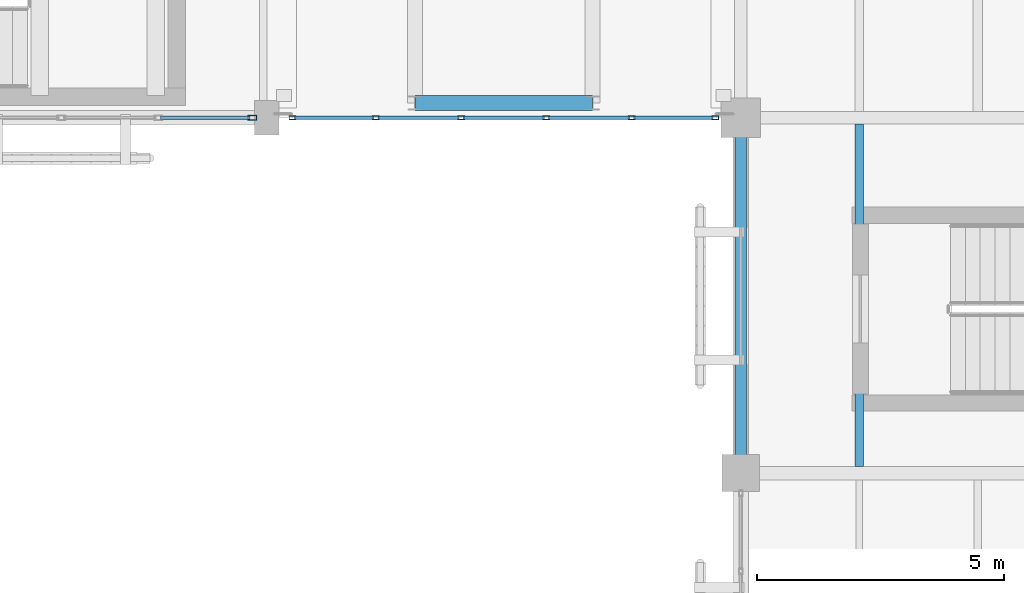
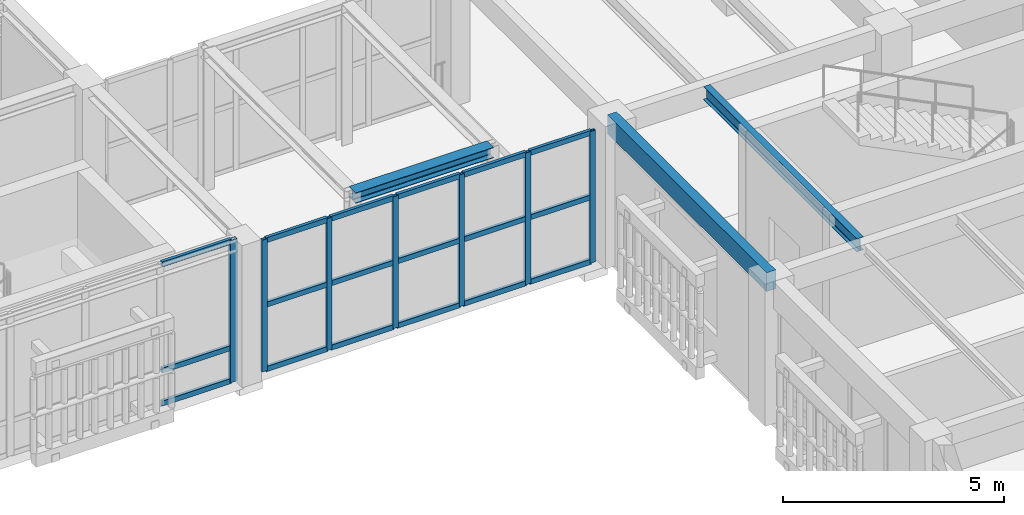
# One storey, part 78 of 170: 25 members, 3 beams, 2 elements without a shape of their own.
"""IFC4 building model written with IfcOpenShell, lengths in metres."""

from ifc_helpers import new_model, si_unit, direction, frame, origin, origin_2d, place, context, subcontext, project, spatial, rectangle, hollow_rectangle, i_section, extrude, material, layer, layer_set, material_profile, profile_set, type_object, element, aggregate, save


model = new_model("IFC4")

# Units and contexts
model_context = context("Model", 3, precision=1e-05, world=origin(), true_north=direction((0.0, 1.0)))
body_context = subcontext(model_context, "Body", "Model", "MODEL_VIEW")
ifc_project = project(units=[si_unit("LENGTHUNIT", "METRE"), si_unit("AREAUNIT", "SQUARE_METRE"), si_unit("VOLUMEUNIT", "CUBIC_METRE"), si_unit("PLANEANGLEUNIT", "RADIAN"), si_unit("MASSUNIT", "GRAM", prefix="KILO")], contexts=[model_context])

# Site, building, storey
site_placement = place(None, origin())
site = spatial("IfcSite", under=ifc_project, at=site_placement, CompositionType="ELEMENT")
building_placement = place(site_placement, origin())
building = spatial("IfcBuilding", under=site, at=building_placement, Name="Mazaris Harbour Polytechnic", CompositionType="ELEMENT")
storey_placement = place(building_placement, frame((0.0, 0.0, 5.39990234375)))
storey = spatial("IfcBuildingStorey", under=building, at=storey_placement, Name="L01", CompositionType="ELEMENT", Elevation=5.39990234375)

# Curtain wall, member
ifc_material_1 = material(Name="Anodised Bronze Aluminium and Low-E Glass", Category="aluminium")
ifc_layer_1 = layer(ifc_material_1, 0.14990234375, Name="Anodised Bronze Aluminium and Low-E Glass")
ifc_layer_set_1 = layer_set([ifc_layer_1], Name="Anodised Bronze Aluminium and Low-E Glass")
curtain_wall_type_1 = type_object("IfcCurtainWallType", Name="Workshop Clerestory Curtain Wall", PredefinedType="NOTDEFINED", material=ifc_layer_set_1)
curtain_wall_1_placement = place(storey_placement, origin())
curtain_wall_1 = element("IfcCurtainWall", 1, at=curtain_wall_1_placement, inside=storey, type_object=curtain_wall_type_1, Name="V1 L01 Curtain Wall 16", PredefinedType="NOTDEFINED")
ifc_material_2 = material(Name="Anodised Bronze Steel S355", Category="steel")
ifc_material_profile_1 = material_profile(ifc_material_2, hollow_rectangle(XDim=0.10009765625, YDim=0.179931640625, WallThickness=0.008056640625, at=origin_2d()), Name="RHS 100x180x8.0")
ifc_profile_set_1 = profile_set([ifc_material_profile_1], Name="Anodised Bronze Steel S355")
member_type_1 = type_object("IfcMemberType", Name="Curtain Mullion RHS100x180", PredefinedType="MULLION", material=ifc_profile_set_1)
member_1_placement = place(storey_placement, frame((112.508056640625, 75.60009765625, 0.0), z_axis=(0.0, 0.0, 1.0), x_axis=(0.0, -1.0, 0.0)))
member_1 = element("IfcMember", 2, at=member_1_placement, type_object=member_type_1, Name="CW-04 mullion 1", PredefinedType="MULLION", context=body_context, shape_type="SweptSolid", body=[
    extrude(hollow_rectangle(XDim=0.10009765625, YDim=0.179931640625, WallThickness=0.008056640625, at=origin_2d()), origin(), (0.0, 0.0, 1.0), 3.920166015625),
])

# Curtain wall, members
ifc_material_3 = material(Name="Anodised Bronze Aluminium and Low-E Glass", Category="aluminium")
ifc_layer_2 = layer(ifc_material_3, 0.139892578125, Name="Anodised Bronze Aluminium and Low-E Glass")
ifc_layer_set_2 = layer_set([ifc_layer_2], Name="Anodised Bronze Aluminium and Low-E Glass")
curtain_wall_type_2 = type_object("IfcCurtainWallType", Name="Seismic Link Bridge Glazing", PredefinedType="NOTDEFINED", material=ifc_layer_set_2)
curtain_wall_2_placement = place(storey_placement, origin())
curtain_wall_2 = element("IfcCurtainWall", 3, at=curtain_wall_2_placement, inside=storey, type_object=curtain_wall_type_2, Name="PB-E2 L01 Bridge Glazing", PredefinedType="NOTDEFINED")
ifc_material_4 = material(Name="Anodised Bronze Steel S355", Category="steel")
ifc_material_profile_2 = material_profile(ifc_material_4, hollow_rectangle(XDim=0.080078125, YDim=0.139892578125, WallThickness=0.00634765625, at=origin_2d()), Name="RHS 80x140x6.3")
ifc_profile_set_2 = profile_set([ifc_material_profile_2], Name="Anodised Bronze Steel S355")
member_type_2 = type_object("IfcMemberType", Name="Curtain Mullion RHS80x140", PredefinedType="MULLION", material=ifc_profile_set_2)
member_2_placement = place(storey_placement, frame((113.320068359375, 75.60009765625, 0.0), z_axis=(0.0, 0.0, 1.0), x_axis=(0.0, 1.0, 0.0)))
member_2 = element("IfcMember", 4, at=member_2_placement, type_object=member_type_2, Name="CW-05 mullion 1", PredefinedType="MULLION", context=body_context, shape_type="SweptSolid", body=[
    extrude(hollow_rectangle(XDim=0.080078125, YDim=0.139892578125, WallThickness=0.00634765625, at=origin_2d()), origin(), (0.0, 0.0, 1.0), 3.635009765625),
])
member_3_placement = place(storey_placement, frame((115.008056640625, 75.60009765625, 0.0), z_axis=(0.0, 0.0, 1.0), x_axis=(0.0, 1.0, 0.0)))
member_3 = element("IfcMember", 5, at=member_3_placement, type_object=member_type_2, Name="CW-05 mullion 2", PredefinedType="MULLION", context=body_context, shape_type="SweptSolid", body=[
    extrude(hollow_rectangle(XDim=0.080078125, YDim=0.139892578125, WallThickness=0.00634765625, at=origin_2d()), origin(), (0.0, 0.0, 1.0), 3.635009765625),
])
member_4_placement = place(storey_placement, frame((116.736083984375, 75.60009765625, 0.0), z_axis=(0.0, 0.0, 1.0), x_axis=(0.0, 1.0, 0.0)))
member_4 = element("IfcMember", 6, at=member_4_placement, type_object=member_type_2, Name="CW-05 mullion 3", PredefinedType="MULLION", context=body_context, shape_type="SweptSolid", body=[
    extrude(hollow_rectangle(XDim=0.080078125, YDim=0.139892578125, WallThickness=0.00634765625, at=origin_2d()), origin(), (0.0, 0.0, 1.0), 3.635009765625),
])
member_5_placement = place(storey_placement, frame((118.464111328125, 75.60009765625, 0.0), z_axis=(0.0, 0.0, 1.0), x_axis=(0.0, 1.0, 0.0)))
member_5 = element("IfcMember", 7, at=member_5_placement, type_object=member_type_2, Name="CW-05 mullion 4", PredefinedType="MULLION", context=body_context, shape_type="SweptSolid", body=[
    extrude(hollow_rectangle(XDim=0.080078125, YDim=0.139892578125, WallThickness=0.00634765625, at=origin_2d()), origin(), (0.0, 0.0, 1.0), 3.635009765625),
])
member_6_placement = place(storey_placement, frame((120.19189453125, 75.60009765625, 0.0), z_axis=(0.0, 0.0, 1.0), x_axis=(0.0, 1.0, 0.0)))
member_6 = element("IfcMember", 8, at=member_6_placement, type_object=member_type_2, Name="CW-05 mullion 5", PredefinedType="MULLION", context=body_context, shape_type="SweptSolid", body=[
    extrude(hollow_rectangle(XDim=0.080078125, YDim=0.139892578125, WallThickness=0.00634765625, at=origin_2d()), origin(), (0.0, 0.0, 1.0), 3.635009765625),
])
member_7_placement = place(storey_placement, frame((121.8798828125, 75.60009765625, 0.0), z_axis=(0.0, 0.0, 1.0), x_axis=(0.0, 1.0, 0.0)))
member_7 = element("IfcMember", 9, at=member_7_placement, type_object=member_type_2, Name="CW-05 mullion 6", PredefinedType="MULLION", context=body_context, shape_type="SweptSolid", body=[
    extrude(hollow_rectangle(XDim=0.080078125, YDim=0.139892578125, WallThickness=0.00634765625, at=origin_2d()), origin(), (0.0, 0.0, 1.0), 3.635009765625),
])

# Member
ifc_material_5 = material(Name="Anodised Bronze Steel S355", Category="steel")
ifc_material_profile_3 = material_profile(ifc_material_5, hollow_rectangle(XDim=0.080078125, YDim=0.139892578125, WallThickness=0.00634765625, at=origin_2d()), Name="RHS 80x140x6.3")
ifc_profile_set_3 = profile_set([ifc_material_profile_3], Name="Anodised Bronze Steel S355")
member_type_3 = type_object("IfcMemberType", Name="Curtain Transom RHS80x140", PredefinedType="USERDEFINED", material=ifc_profile_set_3)
member_8_placement = place(storey_placement, frame((112.4580078125, 75.60009765625, 0.0400390625), z_axis=(-1.0, 0.0, 0.0), x_axis=(0.0, -1.0, 0.0)))
member_8 = element("IfcMember", 10, at=member_8_placement, type_object=member_type_3, Name="CW-04 transom 1.1", ObjectType="TRANSOM", PredefinedType="USERDEFINED", context=body_context, shape_type="SweptSolid", body=[
    extrude(hollow_rectangle(XDim=0.080078125, YDim=0.139892578125, WallThickness=0.00634765625, at=origin_2d()), origin(), (0.0, 0.0, 1.0), 1.810302734375),
])

member_9_placement = place(storey_placement, frame((112.4580078125, 75.60009765625, 0.9501953125), z_axis=(-1.0, 0.0, 0.0), x_axis=(0.0, -1.0, 0.0)))
member_9 = element("IfcMember", 11, at=member_9_placement, type_object=member_type_3, Name="CW-04 transom 1.2", ObjectType="TRANSOM", PredefinedType="USERDEFINED", context=body_context, shape_type="SweptSolid", body=[
    extrude(hollow_rectangle(XDim=0.080078125, YDim=0.139892578125, WallThickness=0.00634765625, at=origin_2d()), origin(), (0.0, 0.0, 1.0), 1.810302734375),
])

member_10_placement = place(storey_placement, frame((112.4580078125, 75.60009765625, 3.880126953125), z_axis=(-1.0, 0.0, 0.0), x_axis=(0.0, -1.0, 0.0)))
member_10 = element("IfcMember", 12, at=member_10_placement, type_object=member_type_3, Name="CW-04 transom 1.3", ObjectType="TRANSOM", PredefinedType="USERDEFINED", context=body_context, shape_type="SweptSolid", body=[
    extrude(hollow_rectangle(XDim=0.080078125, YDim=0.139892578125, WallThickness=0.00634765625, at=origin_2d()), origin(), (0.0, 0.0, 1.0), 1.810302734375),
])

aggregate(curtain_wall_1, [member_1, member_8, member_9, member_10])

member_11_placement = place(storey_placement, frame((113.360107421875, 75.60009765625, 0.0400390625), z_axis=(1.0, 0.0, 0.0), x_axis=(0.0, 1.0, 0.0)))
member_11 = element("IfcMember", 13, at=member_11_placement, type_object=member_type_3, Name="CW-05 transom 1.1", ObjectType="TRANSOM", PredefinedType="USERDEFINED", context=body_context, shape_type="SweptSolid", body=[
    extrude(hollow_rectangle(XDim=0.080078125, YDim=0.139892578125, WallThickness=0.00634765625, at=origin_2d()), origin(), (0.0, 0.0, 1.0), 1.60791015625),
])

member_12_placement = place(storey_placement, frame((113.360107421875, 75.60009765625, 1.817626953125), z_axis=(1.0, 0.0, 0.0), x_axis=(0.0, 1.0, 0.0)))
member_12 = element("IfcMember", 14, at=member_12_placement, type_object=member_type_3, Name="CW-05 transom 1.2", ObjectType="TRANSOM", PredefinedType="USERDEFINED", context=body_context, shape_type="SweptSolid", body=[
    extrude(hollow_rectangle(XDim=0.080078125, YDim=0.139892578125, WallThickness=0.00634765625, at=origin_2d()), origin(), (0.0, 0.0, 1.0), 1.60791015625),
])

member_13_placement = place(storey_placement, frame((113.360107421875, 75.60009765625, 3.59521484375), z_axis=(1.0, 0.0, 0.0), x_axis=(0.0, 1.0, 0.0)))
member_13 = element("IfcMember", 15, at=member_13_placement, type_object=member_type_3, Name="CW-05 transom 1.3", ObjectType="TRANSOM", PredefinedType="USERDEFINED", context=body_context, shape_type="SweptSolid", body=[
    extrude(hollow_rectangle(XDim=0.080078125, YDim=0.139892578125, WallThickness=0.00634765625, at=origin_2d()), origin(), (0.0, 0.0, 1.0), 1.60791015625),
])

member_14_placement = place(storey_placement, frame((115.048095703125, 75.60009765625, 0.0400390625), z_axis=(1.0, 0.0, 0.0), x_axis=(0.0, 1.0, 0.0)))
member_14 = element("IfcMember", 16, at=member_14_placement, type_object=member_type_3, Name="CW-05 transom 2.1", ObjectType="TRANSOM", PredefinedType="USERDEFINED", context=body_context, shape_type="SweptSolid", body=[
    extrude(hollow_rectangle(XDim=0.080078125, YDim=0.139892578125, WallThickness=0.00634765625, at=origin_2d()), origin(), (0.0, 0.0, 1.0), 1.64794921875),
])

member_15_placement = place(storey_placement, frame((115.048095703125, 75.60009765625, 1.817626953125), z_axis=(1.0, 0.0, 0.0), x_axis=(0.0, 1.0, 0.0)))
member_15 = element("IfcMember", 17, at=member_15_placement, type_object=member_type_3, Name="CW-05 transom 2.2", ObjectType="TRANSOM", PredefinedType="USERDEFINED", context=body_context, shape_type="SweptSolid", body=[
    extrude(hollow_rectangle(XDim=0.080078125, YDim=0.139892578125, WallThickness=0.00634765625, at=origin_2d()), origin(), (0.0, 0.0, 1.0), 1.64794921875),
])

member_16_placement = place(storey_placement, frame((115.048095703125, 75.60009765625, 3.59521484375), z_axis=(1.0, 0.0, 0.0), x_axis=(0.0, 1.0, 0.0)))
member_16 = element("IfcMember", 18, at=member_16_placement, type_object=member_type_3, Name="CW-05 transom 2.3", ObjectType="TRANSOM", PredefinedType="USERDEFINED", context=body_context, shape_type="SweptSolid", body=[
    extrude(hollow_rectangle(XDim=0.080078125, YDim=0.139892578125, WallThickness=0.00634765625, at=origin_2d()), origin(), (0.0, 0.0, 1.0), 1.64794921875),
])

member_17_placement = place(storey_placement, frame((116.77587890625, 75.60009765625, 0.0400390625), z_axis=(1.0, 0.0, 0.0), x_axis=(0.0, 1.0, 0.0)))
member_17 = element("IfcMember", 19, at=member_17_placement, type_object=member_type_3, Name="CW-05 transom 3.1", ObjectType="TRANSOM", PredefinedType="USERDEFINED", context=body_context, shape_type="SweptSolid", body=[
    extrude(hollow_rectangle(XDim=0.080078125, YDim=0.139892578125, WallThickness=0.00634765625, at=origin_2d()), origin(), (0.0, 0.0, 1.0), 1.648193359375),
])

member_18_placement = place(storey_placement, frame((116.77587890625, 75.60009765625, 1.817626953125), z_axis=(1.0, 0.0, 0.0), x_axis=(0.0, 1.0, 0.0)))
member_18 = element("IfcMember", 20, at=member_18_placement, type_object=member_type_3, Name="CW-05 transom 3.2", ObjectType="TRANSOM", PredefinedType="USERDEFINED", context=body_context, shape_type="SweptSolid", body=[
    extrude(hollow_rectangle(XDim=0.080078125, YDim=0.139892578125, WallThickness=0.00634765625, at=origin_2d()), origin(), (0.0, 0.0, 1.0), 1.648193359375),
])

member_19_placement = place(storey_placement, frame((116.77587890625, 75.60009765625, 3.59521484375), z_axis=(1.0, 0.0, 0.0), x_axis=(0.0, 1.0, 0.0)))
member_19 = element("IfcMember", 21, at=member_19_placement, type_object=member_type_3, Name="CW-05 transom 3.3", ObjectType="TRANSOM", PredefinedType="USERDEFINED", context=body_context, shape_type="SweptSolid", body=[
    extrude(hollow_rectangle(XDim=0.080078125, YDim=0.139892578125, WallThickness=0.00634765625, at=origin_2d()), origin(), (0.0, 0.0, 1.0), 1.648193359375),
])

member_20_placement = place(storey_placement, frame((118.50390625, 75.60009765625, 0.0400390625), z_axis=(1.0, 0.0, 0.0), x_axis=(0.0, 1.0, 0.0)))
member_20 = element("IfcMember", 22, at=member_20_placement, type_object=member_type_3, Name="CW-05 transom 4.1", ObjectType="TRANSOM", PredefinedType="USERDEFINED", context=body_context, shape_type="SweptSolid", body=[
    extrude(hollow_rectangle(XDim=0.080078125, YDim=0.139892578125, WallThickness=0.00634765625, at=origin_2d()), origin(), (0.0, 0.0, 1.0), 1.648193359375),
])

member_21_placement = place(storey_placement, frame((118.50390625, 75.60009765625, 1.817626953125), z_axis=(1.0, 0.0, 0.0), x_axis=(0.0, 1.0, 0.0)))
member_21 = element("IfcMember", 23, at=member_21_placement, type_object=member_type_3, Name="CW-05 transom 4.2", ObjectType="TRANSOM", PredefinedType="USERDEFINED", context=body_context, shape_type="SweptSolid", body=[
    extrude(hollow_rectangle(XDim=0.080078125, YDim=0.139892578125, WallThickness=0.00634765625, at=origin_2d()), origin(), (0.0, 0.0, 1.0), 1.648193359375),
])

member_22_placement = place(storey_placement, frame((118.50390625, 75.60009765625, 3.59521484375), z_axis=(1.0, 0.0, 0.0), x_axis=(0.0, 1.0, 0.0)))
member_22 = element("IfcMember", 24, at=member_22_placement, type_object=member_type_3, Name="CW-05 transom 4.3", ObjectType="TRANSOM", PredefinedType="USERDEFINED", context=body_context, shape_type="SweptSolid", body=[
    extrude(hollow_rectangle(XDim=0.080078125, YDim=0.139892578125, WallThickness=0.00634765625, at=origin_2d()), origin(), (0.0, 0.0, 1.0), 1.648193359375),
])

member_23_placement = place(storey_placement, frame((120.23193359375, 75.60009765625, 0.0400390625), z_axis=(1.0, 0.0, 0.0), x_axis=(0.0, 1.0, 0.0)))
member_23 = element("IfcMember", 25, at=member_23_placement, type_object=member_type_3, Name="CW-05 transom 5.1", ObjectType="TRANSOM", PredefinedType="USERDEFINED", context=body_context, shape_type="SweptSolid", body=[
    extrude(hollow_rectangle(XDim=0.080078125, YDim=0.139892578125, WallThickness=0.00634765625, at=origin_2d()), origin(), (0.0, 0.0, 1.0), 1.608154296875),
])

member_24_placement = place(storey_placement, frame((120.23193359375, 75.60009765625, 1.817626953125), z_axis=(1.0, 0.0, 0.0), x_axis=(0.0, 1.0, 0.0)))
member_24 = element("IfcMember", 26, at=member_24_placement, type_object=member_type_3, Name="CW-05 transom 5.2", ObjectType="TRANSOM", PredefinedType="USERDEFINED", context=body_context, shape_type="SweptSolid", body=[
    extrude(hollow_rectangle(XDim=0.080078125, YDim=0.139892578125, WallThickness=0.00634765625, at=origin_2d()), origin(), (0.0, 0.0, 1.0), 1.608154296875),
])

member_25_placement = place(storey_placement, frame((120.23193359375, 75.60009765625, 3.59521484375), z_axis=(1.0, 0.0, 0.0), x_axis=(0.0, 1.0, 0.0)))
member_25 = element("IfcMember", 27, at=member_25_placement, type_object=member_type_3, Name="CW-05 transom 5.3", ObjectType="TRANSOM", PredefinedType="USERDEFINED", context=body_context, shape_type="SweptSolid", body=[
    extrude(hollow_rectangle(XDim=0.080078125, YDim=0.139892578125, WallThickness=0.00634765625, at=origin_2d()), origin(), (0.0, 0.0, 1.0), 1.608154296875),
])

aggregate(curtain_wall_2, [member_2, member_3, member_4, member_5, member_6, member_7, member_11, member_12, member_13, member_14, member_15, member_16, member_17, member_18, member_19, member_20, member_21, member_22, member_23, member_24, member_25])

# Beams
ifc_material_6 = material(Name="Glulam GL32h", Category="wood")
ifc_material_profile_4 = material_profile(ifc_material_6, rectangle(XDim=0.239990234375, YDim=0.52001953125, at=origin_2d()), Name="RECT240x520")
ifc_profile_set_4 = profile_set([ifc_material_profile_4], Name="Glulam GL32h")
beam_type_1 = type_object("IfcBeamType", Name="Glulam Girder 240x520 Exterior", PredefinedType="BEAM", material=ifc_profile_set_4)
beam_1_placement = place(storey_placement, frame((122.39990234375, 68.39990234375, 3.66015625), z_axis=(0.0, 1.0, 0.0), x_axis=(-1.0, 0.0, 0.0)))
element("IfcBeam", 28, at=beam_1_placement, inside=storey, type_object=beam_type_1, Name="V5 L01 Tie Girder 2970", PredefinedType="BEAM", context=body_context, shape_type="SweptSolid", body=[
    extrude(rectangle(XDim=0.239990234375, YDim=0.52001953125, at=origin_2d()), origin(), (0.0, 0.0, 1.0), 7.2001953125),
])
ifc_material_7 = material(Name="Steel S355", Category="steel")
ifc_material_profile_5 = material_profile(ifc_material_7, i_section(OverallWidth=0.300048828125, OverallDepth=0.2900390625, WebThickness=0.008544921875, FlangeThickness=0.013916015625, FilletRadius=0.027099609375, at=origin_2d()), Name="HEA 300")
ifc_profile_set_5 = profile_set([ifc_material_profile_5], Name="Steel S355")
beam_type_2 = type_object("IfcBeamType", Name="Steel Beam HEA300 Exterior", PredefinedType="SPANDREL", material=ifc_profile_set_5)
beam_2_placement = place(storey_placement, frame((115.800048828125, 75.89990234375, 3.7900390625), z_axis=(1.0, 0.0, 0.0), x_axis=(0.0, 1.0, 0.0)))
element("IfcBeam", 29, at=beam_2_placement, inside=storey, type_object=beam_type_2, Name="PB-E2 L01 Bridge Beam 3463", PredefinedType="SPANDREL", context=body_context, shape_type="SweptSolid", body=[
    extrude(i_section(OverallWidth=0.300048828125, OverallDepth=0.2900390625, WebThickness=0.008544921875, FlangeThickness=0.013916015625, FilletRadius=0.027099609375, at=origin_2d()), origin(), (0.0, 0.0, 1.0), 3.599853515625),
])
ifc_material_8 = material(Name="Steel S355", Category="steel")
ifc_material_profile_6 = material_profile(ifc_material_8, i_section(OverallWidth=0.169921875, OverallDepth=0.360107421875, WebThickness=0.008056640625, FlangeThickness=0.0126953125, FilletRadius=0.01806640625, at=origin_2d()), Name="IPE 360")
ifc_profile_set_6 = profile_set([ifc_material_profile_6], Name="Steel S355")
beam_type_3 = type_object("IfcBeamType", Name="Steel Joist IPE360", PredefinedType="JOIST", material=ifc_profile_set_6)
beam_3_placement = place(storey_placement, frame((124.800048828125, 68.5400390625, 3.739990234375), z_axis=(0.0, 1.0, 0.0), x_axis=(-1.0, 0.0, 0.0)))
element("IfcBeam", 30, at=beam_3_placement, inside=storey, type_object=beam_type_3, Name="V5 L01 Floor Joist 3035", PredefinedType="JOIST", context=body_context, shape_type="SweptSolid", body=[
    extrude(i_section(OverallWidth=0.169921875, OverallDepth=0.360107421875, WebThickness=0.008056640625, FlangeThickness=0.0126953125, FilletRadius=0.01806640625, at=origin_2d()), origin(), (0.0, 0.0, 1.0), 6.929931640625),
])

save(model, "model.ifc")
